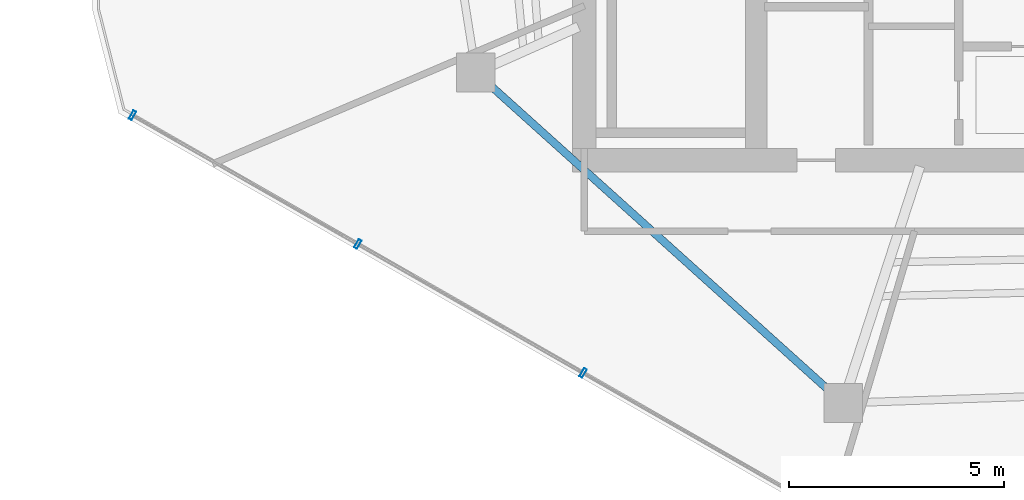
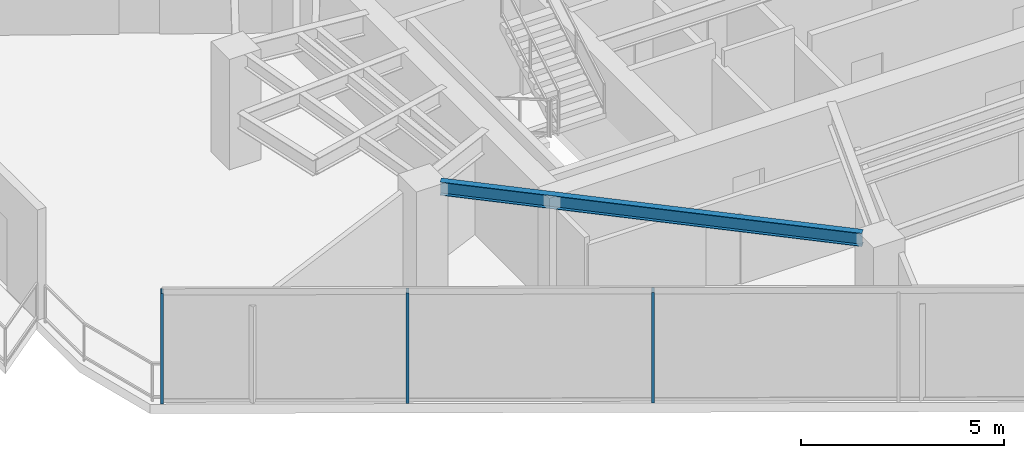
# One storey, part 2 of 19: 3 members, 1 beam, 1 element without a shape of its own.
"""IFC4 building model written with IfcOpenShell, lengths in metres."""

import ifcopenshell
import ifcopenshell.guid

model = None  # the IFC model being written
_history = None  # IfcOwnerHistory: only IFC2X3 demands one
_inside = {}  # id of a spatial element -> (the spatial element, [elements in it])
_under = {}  # id of a project, library or spatial element -> (it, [spatial elements below it])
_declared = {}  # id of a project -> (the project, [libraries it declares])
_typed = {}  # id of a type object -> (the type object, [elements of that type])
_made_of = {}  # id of a material, layer set ... -> (it, [elements and type objects made of it])


def new_model(schema):
    """Start an empty IFC model of exactly this schema.

    Asked for "IFC4X3", IfcOpenShell would pick the latest addendum, in which some entities
    have other attributes; the version numbers below select the first issue.
    IFC2X3 requires an IfcOwnerHistory on every rooted entity: one is made here for all.
    """
    global model, _history
    if schema == "IFC4X3":
        model = ifcopenshell.file(schema_version=(4, 3, 0, 0))
    else:
        model = ifcopenshell.file(schema=schema)
    _inside.clear()
    _under.clear()
    _declared.clear()
    _typed.clear()
    _made_of.clear()
    _history = None
    if model.schema == "IFC2X3":
        org = make("IfcOrganization", Name="unknown")
        user = make(
            "IfcPersonAndOrganization",
            ThePerson=make("IfcPerson", FamilyName="unknown"),
            TheOrganization=org,
        )
        app = make(
            "IfcApplication",
            ApplicationDeveloper=org,
            Version="unknown",
            ApplicationFullName="unknown",
            ApplicationIdentifier="unknown",
        )
        _history = make(
            "IfcOwnerHistory",
            OwningUser=user,
            OwningApplication=app,
            ChangeAction="ADDED",
            CreationDate=0,
        )
    return model


def make(cls, **values):
    """One entity of the class cls with the attributes given. An attribute that is None is left unset."""
    return model.create_entity(
        cls, **{name: value for name, value in values.items() if value is not None}
    )


def rooted(cls, **values):
    """An entity with a GlobalId (a new one), such as an element, a storey or a relation."""
    return make(cls, GlobalId=ifcopenshell.guid.new(), OwnerHistory=_history, **values)


def si_unit(unit_type, name, prefix=None):
    """IfcSIUnit, for example si_unit("LENGTHUNIT", "METRE", prefix="MILLI")."""
    return make("IfcSIUnit", UnitType=unit_type, Prefix=prefix, Name=name)


def assignment(units):
    """IfcUnitAssignment: the units of a project."""
    return None if units is None else make("IfcUnitAssignment", Units=units)


def point(xyz):
    """IfcCartesianPoint."""
    return None if xyz is None else make("IfcCartesianPoint", Coordinates=xyz)


def direction(xyz):
    """IfcDirection."""
    return None if xyz is None else make("IfcDirection", DirectionRatios=xyz)


def frame(location, z_axis=None, x_axis=None):
    """IfcAxis2Placement3D, a coordinate frame: its origin and axes. An axis left out is left unset."""
    return make(
        "IfcAxis2Placement3D",
        Location=point(location),
        Axis=direction(z_axis),
        RefDirection=direction(x_axis),
    )


def frame_2d(location, x_axis=None):
    """IfcAxis2Placement2D, a coordinate frame in the plane: its origin and x axis."""
    return make(
        "IfcAxis2Placement2D", Location=point(location), RefDirection=direction(x_axis)
    )


def origin():
    """The frame at (0, 0, 0) with its axes left unset."""
    return frame((0.0, 0.0, 0.0))


def origin_2d():
    """The frame at (0, 0) in the plane with its x axis left unset."""
    return frame_2d((0.0, 0.0))


def place(relative_to, where):
    """IfcLocalPlacement: puts the frame where relative to a parent placement (None: the world)."""
    return make(
        "IfcLocalPlacement", PlacementRelTo=relative_to, RelativePlacement=where
    )


def context(
    kind, dimensions, precision=None, world=None, true_north=None, identifier=None
):
    """IfcGeometricRepresentationContext, for example the 3D "Model" context."""
    return make(
        "IfcGeometricRepresentationContext",
        ContextIdentifier=identifier,
        ContextType=kind,
        CoordinateSpaceDimension=dimensions,
        Precision=precision,
        WorldCoordinateSystem=world,
        TrueNorth=true_north,
    )


def subcontext(parent, identifier, kind, view, scale=None):
    """IfcGeometricRepresentationSubContext, for example "Body" below "Model"."""
    return make(
        "IfcGeometricRepresentationSubContext",
        ContextIdentifier=identifier,
        ContextType=kind,
        ParentContext=parent,
        TargetScale=scale,
        TargetView=view,
    )


def project(units=None, contexts=None):
    """IfcProject with its units and contexts."""
    return rooted(
        "IfcProject",
        Name="project",
        RepresentationContexts=contexts,
        UnitsInContext=assignment(units),
    )


def spatial(cls, under=None, at=None, **own):
    """A site, building, storey or space (cls), placed at a placement, below another one or the project."""
    s = rooted(cls, ObjectPlacement=at, **own)
    if under is not None:
        _under.setdefault(under.id(), (under, []))[1].append(s)
    return s


def profile(cls, at=None, kind="AREA", **sizes):
    """A parametric profile (cls). Its sizes go by their IFC names, for example OverallWidth=200.0."""
    return make(cls, ProfileType=kind, Position=at, **sizes)


def hollow_rectangle(**sizes):
    """IfcRectangleHollowProfileDef."""
    return profile("IfcRectangleHollowProfileDef", **sizes)


def i_section(**sizes):
    """IfcIShapeProfileDef."""
    return profile("IfcIShapeProfileDef", **sizes)


def extrude(swept, where, along, depth):
    """IfcExtrudedAreaSolid: the profile swept, set in the frame where, extruded along a direction by depth."""
    return make(
        "IfcExtrudedAreaSolid",
        SweptArea=swept,
        Position=where,
        ExtrudedDirection=direction(along),
        Depth=depth,
    )


def shape(context_of_items, identifier, shape_type, items):
    """IfcShapeRepresentation: the items that make up one representation, for example the "Body"."""
    return make(
        "IfcShapeRepresentation",
        ContextOfItems=context_of_items,
        RepresentationIdentifier=identifier,
        RepresentationType=shape_type,
        Items=items,
    )


def material(Name=None, Category=None):
    """IfcMaterial."""
    return make("IfcMaterial", Name=Name, Category=Category)


def layer(
    of_material, thickness, ventilated=None, Name=None, Category=None, Priority=None
):
    """IfcMaterialLayer: one layer of a wall or slab, of a material (None: an air gap)."""
    return make(
        "IfcMaterialLayer",
        Material=of_material,
        LayerThickness=thickness,
        IsVentilated=ventilated,
        Name=Name,
        Category=Category,
        Priority=Priority,
    )


def layer_set(layers, Name=None):
    """IfcMaterialLayerSet."""
    return make("IfcMaterialLayerSet", MaterialLayers=layers, LayerSetName=Name)


def material_profile(
    of_material, cross_section, Name=None, Category=None, Priority=None
):
    """IfcMaterialProfile: a cross section and its material."""
    return make(
        "IfcMaterialProfile",
        Name=Name,
        Material=of_material,
        Profile=cross_section,
        Priority=Priority,
        Category=Category,
    )


def profile_set(profiles, Name=None, composite=None):
    """IfcMaterialProfileSet."""
    return make(
        "IfcMaterialProfileSet",
        Name=Name,
        MaterialProfiles=profiles,
        CompositeProfile=composite,
    )


def made_of(thing, what):
    """Note that an element or type object is made of a material, layer set ...; save() writes the relation."""
    if what is not None:
        _made_of.setdefault(what.id(), (what, []))[1].append(thing)
    return thing


def type_object(cls, material=None, **own):
    """A type object (cls), such as IfcWallType, which elements share."""
    return made_of(rooted(cls, **own), material)


def element(
    cls,
    number,
    at=None,
    inside=None,
    cuts=None,
    type_object=None,
    material=None,
    context=None,
    identifier="Body",
    shape_type=None,
    held_by="IfcProductDefinitionShape",
    body=None,
    shapes=None,
    **own,
):
    """One element of the class cls, such as IfcWall. Its Tag is "e" and its number.

    at: its placement. inside: the storey or other place that contains it. cuts: it is an
    opening in that element (IfcRelVoidsElement). A single representation is given by context,
    identifier, shape_type and body (its items); several are given by shapes. held_by: the class
    of the entity that holds the representations. save() writes the other relations.
    """
    e = rooted(cls, Tag="e%d" % number, ObjectPlacement=at, **own)
    if body is not None:
        shapes = [shape(context, identifier, shape_type, body)]
    if shapes is not None:
        e.Representation = make(held_by, Representations=shapes)
    if inside is not None:
        _inside.setdefault(inside.id(), (inside, []))[1].append(e)
    if cuts is not None:
        rooted(
            "IfcRelVoidsElement", RelatingBuildingElement=cuts, RelatedOpeningElement=e
        )
    if type_object is not None:
        _typed.setdefault(type_object.id(), (type_object, []))[1].append(e)
    return made_of(e, material)


def aggregate(whole, parts):
    """IfcRelAggregates: a whole, such as a stair, and the parts it consists of."""
    return rooted("IfcRelAggregates", RelatingObject=whole, RelatedObjects=parts)


def save(model, path):
    """Write the relations noted so far, then the file.

    IfcRelAggregates (storeys below a building ...), IfcRelContainedInSpatialStructure (elements
    in a storey), IfcRelDefinesByType, IfcRelAssociatesMaterial and IfcRelDeclares: one each for
    every whole, place, type object, material and project.
    """
    for whole, parts in _under.values():
        aggregate(whole, parts)
    for where, things in _inside.values():
        rooted(
            "IfcRelContainedInSpatialStructure",
            RelatedElements=things,
            RelatingStructure=where,
        )
    for kind, things in _typed.values():
        rooted("IfcRelDefinesByType", RelatedObjects=things, RelatingType=kind)
    for what, things in _made_of.values():
        rooted("IfcRelAssociatesMaterial", RelatedObjects=things, RelatingMaterial=what)
    for by, libraries in _declared.values():
        rooted("IfcRelDeclares", RelatingContext=by, RelatedDefinitions=libraries)
    model.write(path)


model = new_model("IFC4")

# Units and contexts
model_context = context("Model", 3, precision=1e-05, world=origin(), true_north=direction((0.0, 1.0)))
body_context = subcontext(model_context, "Body", "Model", "MODEL_VIEW")
ifc_project = project(units=[si_unit("LENGTHUNIT", "METRE"), si_unit("AREAUNIT", "SQUARE_METRE"), si_unit("VOLUMEUNIT", "CUBIC_METRE"), si_unit("PLANEANGLEUNIT", "RADIAN"), si_unit("MASSUNIT", "GRAM", prefix="KILO")], contexts=[model_context])

# Site, building, storey
site_placement = place(None, origin())
site = spatial("IfcSite", under=ifc_project, at=site_placement, CompositionType="ELEMENT")
building_placement = place(site_placement, origin())
building = spatial("IfcBuilding", under=site, at=building_placement, Name="Qarnah Convention Tower", CompositionType="ELEMENT")
storey_placement = place(building_placement, frame((0.0, 0.0, 180.60009765625)))
storey = spatial("IfcBuildingStorey", under=building, at=storey_placement, Name="L48", CompositionType="ELEMENT", Elevation=180.60009765625)

# Beam
ifc_material_1 = material(Name="Structural steel S355JR", Category="steel")
ifc_material_profile_1 = material_profile(ifc_material_1, i_section(OverallWidth=0.179931640625, OverallDepth=0.39990234375, WebThickness=0.009033203125, FlangeThickness=0.013916015625, at=origin_2d()), Name="IPE400")
ifc_profile_set_1 = profile_set([ifc_material_profile_1], Name="Structural steel S355JR")
beam_type = type_object("IfcBeamType", Name="BM-SPN-IPE400", PredefinedType="SPANDREL", material=ifc_profile_set_1)
beam_placement = place(storey_placement, frame((24.60009765625, 20.35107421875, 3.119873046875), z_axis=(0.743102275255, -0.669177860147, 0.0), x_axis=(0.669177860147, 0.743102275255, 0.0)))
element("IfcBeam", 1, at=beam_placement, inside=storey, type_object=beam_type, Name="L48 spandrel BM-L48-SPN-06", PredefinedType="SPANDREL", context=body_context, shape_type="SweptSolid", body=[
    extrude(i_section(OverallWidth=0.179931640625, OverallDepth=0.39990234375, WebThickness=0.009033203125, FlangeThickness=0.013916015625, at=origin_2d()), origin(), (0.0, 0.0, 1.0), 10.630859375),
])

# Curtain wall, members
ifc_material_2 = material(Name="Tempered Low-E dark glass", Category="glass")
ifc_layer = layer(ifc_material_2, 0.174072265625)
ifc_layer_set = layer_set([ifc_layer], Name="Tempered Low-E dark glass")
curtain_wall_type = type_object("IfcCurtainWallType", Name="CWS-04", PredefinedType="NOTDEFINED", material=ifc_layer_set)
curtain_wall_placement = place(storey_placement, origin())
curtain_wall = element("IfcCurtainWall", 2, at=curtain_wall_placement, inside=storey, type_object=curtain_wall_type, Name="L48 unitised curtain wall CW-L48-F1", PredefinedType="NOTDEFINED")
ifc_material_3 = material(Name="Black anodised aluminium", Category="aluminium")
ifc_material_profile_2 = material_profile(ifc_material_3, hollow_rectangle(XDim=0.074951171875, YDim=0.219970703125, WallThickness=0.0048828125, at=origin_2d()), Name="MUL-75X220")
ifc_profile_set_2 = profile_set([ifc_material_profile_2], Name="Black anodised aluminium")
member_type = type_object("IfcMemberType", Name="MUL-T4", PredefinedType="MULLION", material=ifc_profile_set_2)
member_1_placement = place(storey_placement, frame((26.770751953125, 13.645263671875, 0.0), z_axis=(0.0, 0.0, 1.0), x_axis=(-0.868118952408, 0.496356207245, 0.0)))
member_1 = element("IfcMember", 3, at=member_1_placement, type_object=member_type, Name="CW-L48-F1 mullion 4", PredefinedType="MULLION", context=body_context, shape_type="SweptSolid", body=[
    extrude(hollow_rectangle(XDim=0.074951171875, YDim=0.219970703125, WallThickness=0.0048828125, at=origin_2d()), origin(), (0.0, 0.0, 1.0), 3.31982421875),
])
member_2_placement = place(storey_placement, frame((21.521484375, 16.646484375, 0.0), z_axis=(0.0, 0.0, 1.0), x_axis=(-0.868118952408, 0.496356207245, 0.0)))
member_2 = element("IfcMember", 4, at=member_2_placement, type_object=member_type, Name="CW-L48-F1 mullion 5", PredefinedType="MULLION", context=body_context, shape_type="SweptSolid", body=[
    extrude(hollow_rectangle(XDim=0.074951171875, YDim=0.219970703125, WallThickness=0.0048828125, at=origin_2d()), origin(), (0.0, 0.0, 1.0), 3.31982421875),
])
member_3_placement = place(storey_placement, frame((16.27197265625, 19.64794921875, 0.0), z_axis=(0.0, 0.0, 1.0), x_axis=(-0.868118952408, 0.496356207245, 0.0)))
member_3 = element("IfcMember", 5, at=member_3_placement, type_object=member_type, Name="CW-L48-F1 mullion 6", PredefinedType="MULLION", context=body_context, shape_type="SweptSolid", body=[
    extrude(hollow_rectangle(XDim=0.074951171875, YDim=0.219970703125, WallThickness=0.0048828125, at=origin_2d()), origin(), (0.0, 0.0, 1.0), 3.31982421875),
])
aggregate(curtain_wall, [member_1, member_2, member_3])

save(model, "model.ifc")
